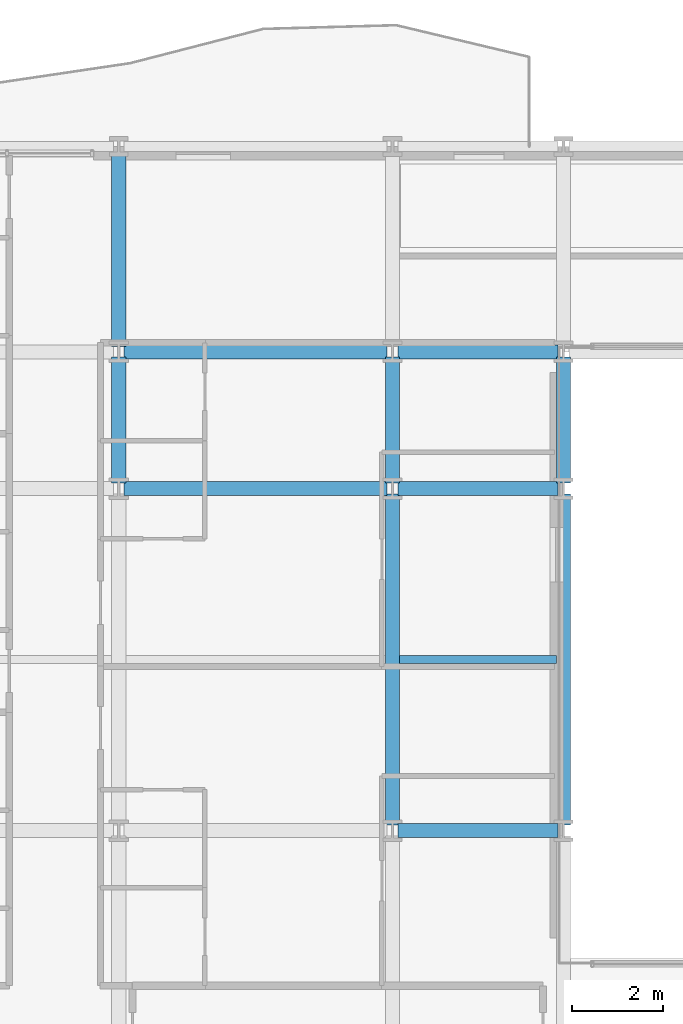
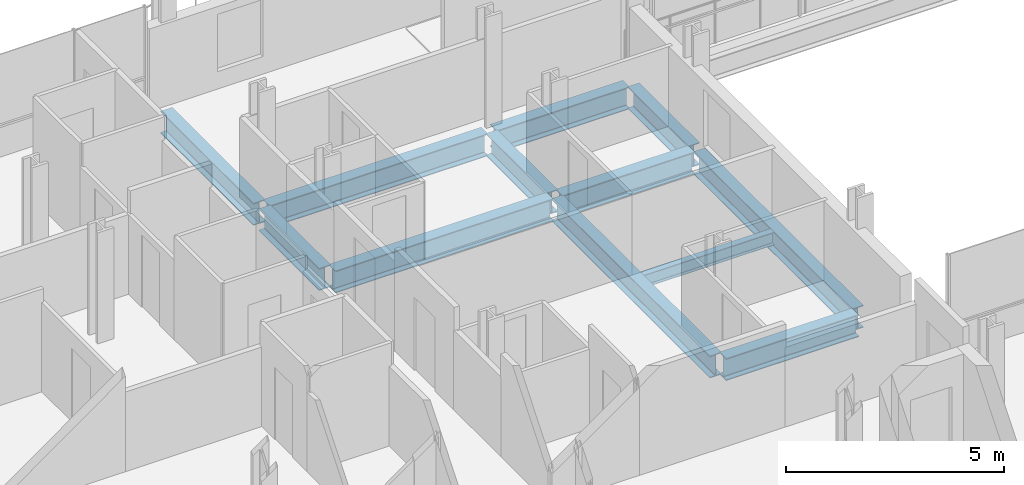
# One storey, part 8 of 40: 12 beams.
"""IFC4 building model written with IfcOpenShell, lengths in metres."""

from ifc_helpers import new_model, si_unit, direction, frame, origin, origin_2d, place, context, subcontext, project, spatial, i_section, extrude, material, material_profile, profile_set, type_object, element, save


model = new_model("IFC4")

# Units and contexts
model_context = context("Model", 3, precision=1e-05, world=origin(), true_north=direction((0.0, 1.0)))
body_context = subcontext(model_context, "Body", "Model", "MODEL_VIEW")
ifc_project = project(units=[si_unit("LENGTHUNIT", "METRE"), si_unit("AREAUNIT", "SQUARE_METRE"), si_unit("VOLUMEUNIT", "CUBIC_METRE"), si_unit("PLANEANGLEUNIT", "RADIAN"), si_unit("MASSUNIT", "GRAM", prefix="KILO")], contexts=[model_context])

# Site, building, storey
site_placement = place(None, origin())
site = spatial("IfcSite", under=ifc_project, at=site_placement, CompositionType="ELEMENT")
building_placement = place(site_placement, origin())
building = spatial("IfcBuilding", under=site, at=building_placement, Name="Brevholm Reach", CompositionType="ELEMENT")
storey_placement = place(building_placement, frame((0.0, 0.0, 31.10009765625)))
storey = spatial("IfcBuildingStorey", under=building, at=storey_placement, Name="L07", CompositionType="ELEMENT", Elevation=31.10009765625)

# Beams
ifc_material_1 = material(Name="Structural Steel S355J2", Category="steel")
ifc_material_profile_1 = material_profile(ifc_material_1, i_section(OverallWidth=0.17138671875, OverallDepth=0.35498046875, WebThickness=0.00732421875, FlangeThickness=0.011474609375, FilletRadius=0.01025390625, at=origin_2d()), Name="UKB 356x171x51")
ifc_profile_set_1 = profile_set([ifc_material_profile_1], Name="Structural Steel S355J2")
beam_type_1 = type_object("IfcBeamType", Name="BM-B356", PredefinedType="BEAM", material=ifc_profile_set_1)
beam_1_placement = place(storey_placement, frame((18.153564453125, 19.75, -0.40771484375), z_axis=(1.0, 0.0, 0.0), x_axis=(0.0, 1.0, 0.0)))
element("IfcBeam", 1, at=beam_1_placement, inside=storey, type_object=beam_type_1, Name="L07 Composite Secondary Floor Beam", PredefinedType="BEAM", context=body_context, shape_type="SweptSolid", body=[
    extrude(i_section(OverallWidth=0.17138671875, OverallDepth=0.35498046875, WebThickness=0.00732421875, FlangeThickness=0.011474609375, FilletRadius=0.01025390625, at=origin_2d()), origin(), (0.0, 0.0, 1.0), 3.44287109375),
])
ifc_material_2 = material(Name="Structural Steel S355J2", Category="steel")
ifc_material_profile_2 = material_profile(ifc_material_2, i_section(OverallWidth=0.30712890625, OverallDepth=0.6201171875, WebThickness=0.01416015625, FlangeThickness=0.023681640625, FilletRadius=0.0166015625, at=origin_2d()), Name="UKB 610x305x179")
ifc_profile_set_2 = profile_set([ifc_material_profile_2], Name="Structural Steel S355J2")
beam_type_2 = type_object("IfcBeamType", Name="BM-UKB610H", PredefinedType="USERDEFINED", material=ifc_profile_set_2)
beam_2_placement = place(storey_placement, frame((18.1201171875, 16.0, -0.540283203125), z_axis=(1.0, 0.0, 0.0), x_axis=(0.0, 1.0, 0.0)))
element("IfcBeam", 2, at=beam_2_placement, inside=storey, type_object=beam_type_2, Name="L07 G-06 Framing Beam", ObjectType="GIRDER", PredefinedType="USERDEFINED", context=body_context, shape_type="SweptSolid", body=[
    extrude(i_section(OverallWidth=0.30712890625, OverallDepth=0.6201171875, WebThickness=0.01416015625, FlangeThickness=0.023681640625, FilletRadius=0.0166015625, at=origin_2d()), origin(), (0.0, 0.0, 1.0), 3.509765625),
])
beam_3_placement = place(storey_placement, frame((12.1201171875, 23.5, -0.540283203125), z_axis=(1.0, 0.0, 0.0), x_axis=(0.0, 1.0, 0.0)))
element("IfcBeam", 3, at=beam_3_placement, inside=storey, type_object=beam_type_2, Name="L07 G-06 Framing Beam", ObjectType="GIRDER", PredefinedType="USERDEFINED", context=body_context, shape_type="SweptSolid", body=[
    extrude(i_section(OverallWidth=0.30712890625, OverallDepth=0.6201171875, WebThickness=0.01416015625, FlangeThickness=0.023681640625, FilletRadius=0.0166015625, at=origin_2d()), origin(), (0.0, 0.0, 1.0), 5.759765625),
])
beam_4_placement = place(storey_placement, frame((18.1201171875, 23.5, -0.540283203125), z_axis=(1.0, 0.0, 0.0), x_axis=(0.0, 1.0, 0.0)))
element("IfcBeam", 4, at=beam_4_placement, inside=storey, type_object=beam_type_2, Name="L07 G-06 Framing Beam", ObjectType="GIRDER", PredefinedType="USERDEFINED", context=body_context, shape_type="SweptSolid", body=[
    extrude(i_section(OverallWidth=0.30712890625, OverallDepth=0.6201171875, WebThickness=0.01416015625, FlangeThickness=0.023681640625, FilletRadius=0.0166015625, at=origin_2d()), origin(), (0.0, 0.0, 1.0), 3.509765625),
])
beam_5_placement = place(storey_placement, frame((12.1201171875, 26.5, -0.540283203125), z_axis=(1.0, 0.0, 0.0), x_axis=(0.0, 1.0, 0.0)))
element("IfcBeam", 5, at=beam_5_placement, inside=storey, type_object=beam_type_2, Name="L07 G-06 Framing Beam", ObjectType="GIRDER", PredefinedType="USERDEFINED", context=body_context, shape_type="SweptSolid", body=[
    extrude(i_section(OverallWidth=0.30712890625, OverallDepth=0.6201171875, WebThickness=0.01416015625, FlangeThickness=0.023681640625, FilletRadius=0.0166015625, at=origin_2d()), origin(), (0.0, 0.0, 1.0), 5.759765625),
])
beam_6_placement = place(storey_placement, frame((18.1201171875, 26.5, -0.540283203125), z_axis=(1.0, 0.0, 0.0), x_axis=(0.0, 1.0, 0.0)))
element("IfcBeam", 6, at=beam_6_placement, inside=storey, type_object=beam_type_2, Name="L07 G-06 Framing Beam", ObjectType="GIRDER", PredefinedType="USERDEFINED", context=body_context, shape_type="SweptSolid", body=[
    extrude(i_section(OverallWidth=0.30712890625, OverallDepth=0.6201171875, WebThickness=0.01416015625, FlangeThickness=0.023681640625, FilletRadius=0.0166015625, at=origin_2d()), origin(), (0.0, 0.0, 1.0), 3.509765625),
])
beam_7_placement = place(storey_placement, frame((12.0, 23.6201171875, -0.540283203125), z_axis=(0.0, 1.0, 0.0), x_axis=(-1.0, 0.0, 0.0)))
element("IfcBeam", 7, at=beam_7_placement, inside=storey, type_object=beam_type_2, Name="L07 G-06 Framing Beam", ObjectType="GIRDER", PredefinedType="USERDEFINED", context=body_context, shape_type="SweptSolid", body=[
    extrude(i_section(OverallWidth=0.30712890625, OverallDepth=0.6201171875, WebThickness=0.01416015625, FlangeThickness=0.023681640625, FilletRadius=0.0166015625, at=origin_2d()), origin(), (0.0, 0.0, 1.0), 2.759765625),
])
beam_8_placement = place(storey_placement, frame((12.0, 26.6201171875, -0.540283203125), z_axis=(0.0, 1.0, 0.0), x_axis=(-1.0, 0.0, 0.0)))
element("IfcBeam", 8, at=beam_8_placement, inside=storey, type_object=beam_type_2, Name="L07 G-06 Framing Beam", ObjectType="GIRDER", PredefinedType="USERDEFINED", context=body_context, shape_type="SweptSolid", body=[
    extrude(i_section(OverallWidth=0.30712890625, OverallDepth=0.6201171875, WebThickness=0.01416015625, FlangeThickness=0.023681640625, FilletRadius=0.0166015625, at=origin_2d()), origin(), (0.0, 0.0, 1.0), 4.259765625),
])
beam_9_placement = place(storey_placement, frame((18.0, 16.1201171875, -0.540283203125), z_axis=(0.0, 1.0, 0.0), x_axis=(-1.0, 0.0, 0.0)))
element("IfcBeam", 9, at=beam_9_placement, inside=storey, type_object=beam_type_2, Name="L07 G-06 Framing Beam", ObjectType="GIRDER", PredefinedType="USERDEFINED", context=body_context, shape_type="SweptSolid", body=[
    extrude(i_section(OverallWidth=0.30712890625, OverallDepth=0.6201171875, WebThickness=0.01416015625, FlangeThickness=0.023681640625, FilletRadius=0.0166015625, at=origin_2d()), origin(), (0.0, 0.0, 1.0), 7.259765625),
])
beam_10_placement = place(storey_placement, frame((18.0, 23.6201171875, -0.540283203125), z_axis=(0.0, 1.0, 0.0), x_axis=(-1.0, 0.0, 0.0)))
element("IfcBeam", 10, at=beam_10_placement, inside=storey, type_object=beam_type_2, Name="L07 G-06 Framing Beam", ObjectType="GIRDER", PredefinedType="USERDEFINED", context=body_context, shape_type="SweptSolid", body=[
    extrude(i_section(OverallWidth=0.30712890625, OverallDepth=0.6201171875, WebThickness=0.01416015625, FlangeThickness=0.023681640625, FilletRadius=0.0166015625, at=origin_2d()), origin(), (0.0, 0.0, 1.0), 2.759765625),
])
beam_11_placement = place(storey_placement, frame((21.75, 16.1201171875, -0.540283203125), z_axis=(0.0, 1.0, 0.0), x_axis=(-1.0, 0.0, 0.0)))
element("IfcBeam", 11, at=beam_11_placement, inside=storey, type_object=beam_type_2, Name="L07 G-06 Framing Beam", ObjectType="GIRDER", PredefinedType="USERDEFINED", context=body_context, shape_type="SweptSolid", body=[
    extrude(i_section(OverallWidth=0.30712890625, OverallDepth=0.6201171875, WebThickness=0.01416015625, FlangeThickness=0.023681640625, FilletRadius=0.0166015625, at=origin_2d()), origin(), (0.0, 0.0, 1.0), 7.259765625),
])
beam_12_placement = place(storey_placement, frame((21.75, 23.6201171875, -0.540283203125), z_axis=(0.0, 1.0, 0.0), x_axis=(-1.0, 0.0, 0.0)))
element("IfcBeam", 12, at=beam_12_placement, inside=storey, type_object=beam_type_2, Name="L07 G-06 Framing Beam", ObjectType="GIRDER", PredefinedType="USERDEFINED", context=body_context, shape_type="SweptSolid", body=[
    extrude(i_section(OverallWidth=0.30712890625, OverallDepth=0.6201171875, WebThickness=0.01416015625, FlangeThickness=0.023681640625, FilletRadius=0.0166015625, at=origin_2d()), origin(), (0.0, 0.0, 1.0), 2.759765625),
])

save(model, "model.ifc")
